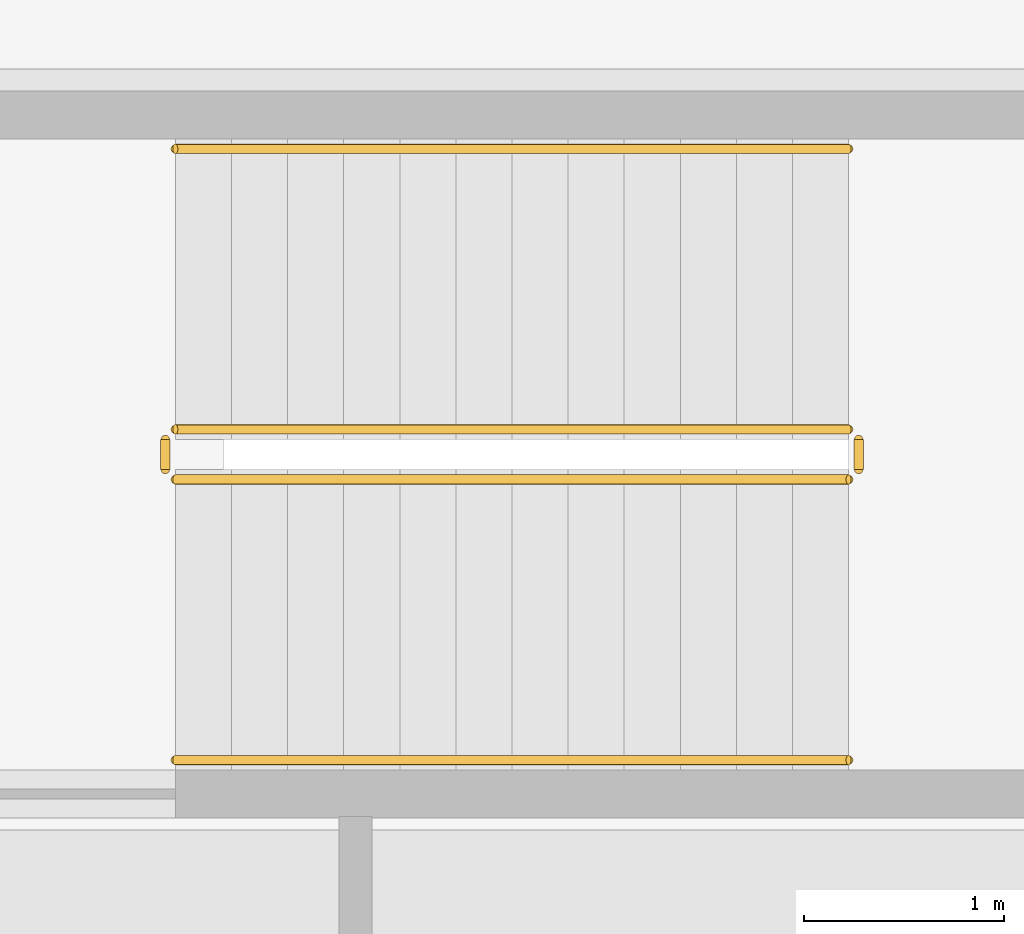
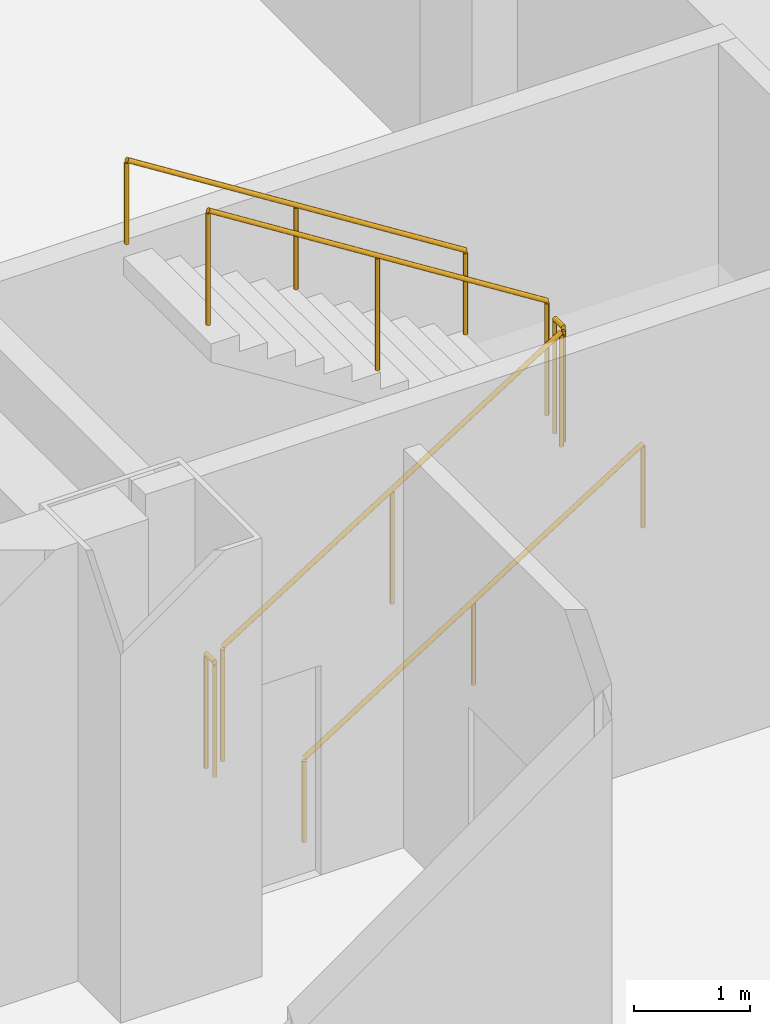
# One storey, part 8 of 8: 6 railings.
"""IFC4 building model written with IfcOpenShell, lengths in metres."""

from ifc_helpers import new_model, si_unit, direction, frame, origin, origin_2d, place, context, subcontext, project, spatial, circle, extrude, material, type_object, element, save


model = new_model("IFC4")

# Units and contexts
model_context = context("Model", 3, precision=1e-05, world=origin(), true_north=direction((0.0, 1.0)))
body_context = subcontext(model_context, "Body", "Model", "MODEL_VIEW")
ifc_project = project(units=[si_unit("LENGTHUNIT", "METRE"), si_unit("AREAUNIT", "SQUARE_METRE"), si_unit("VOLUMEUNIT", "CUBIC_METRE"), si_unit("PLANEANGLEUNIT", "RADIAN"), si_unit("MASSUNIT", "GRAM", prefix="KILO")], contexts=[model_context])

# Site, building, storey
site_placement = place(None, origin())
site = spatial("IfcSite", under=ifc_project, at=site_placement, CompositionType="ELEMENT")
building_placement = place(site_placement, origin())
building = spatial("IfcBuilding", under=site, at=building_placement, Name="Qianrong Seaharbour Tower", CompositionType="ELEMENT")
storey_placement = place(building_placement, frame((0.0, 0.0, -4.60009765625)))
storey = spatial("IfcBuildingStorey", under=building, at=storey_placement, Name="B01", CompositionType="ELEMENT", Elevation=-4.60009765625)

# Railings
ifc_material_1 = material(Name="Galvanized painted steel SN400B stair guard", Category="steel")
railing_type_1 = type_object("IfcRailingType", Name="RAIL-STAIR-GUARD-1220", PredefinedType="GUARDRAIL", material=ifc_material_1)
railing_1_placement = place(storey_placement, frame((65.89990234375, 38.050048828125, 0.177001953125)))
element("IfcRailing", 1, at=railing_1_placement, inside=storey, type_object=railing_type_1, Name="B01 BST-2 stair guard 1", PredefinedType="GUARDRAIL", context=body_context, shape_type="SweptSolid", body=[
    extrude(circle(Radius=0.02392578125, at=origin_2d()), frame((0.0, 0.0, 1.19580078125), z_axis=(0.845389635667, 0.0, 0.534150132366), x_axis=(0.0, 1.0, 0.0)), (0.0, 0.0, 1.0), 3.974609375),
    extrude(circle(Radius=0.02099609375, at=origin_2d()), origin(), (0.0, 0.0, 1.0), 1.171875),
    extrude(circle(Radius=0.02099609375, at=origin_2d()), frame((1.68017578125, 0.0, 1.0615234375)), (0.0, 0.0, 1.0), 1.171875),
    extrude(circle(Radius=0.02099609375, at=origin_2d()), frame((3.360107421875, 0.0, 2.123046875)), (0.0, 0.0, 1.0), 1.171875),
])
railing_2_placement = place(storey_placement, frame((69.31005859375, 38.10009765625, 2.300048828125)))
element("IfcRailing", 2, at=railing_2_placement, inside=storey, type_object=railing_type_1, Name="B01 BST-2 stair guard 2", PredefinedType="GUARDRAIL", context=body_context, shape_type="SweptSolid", body=[
    extrude(circle(Radius=0.02392578125, at=origin_2d()), frame((0.0, 0.0, 1.19580078125), z_axis=(0.0, 1.0, 0.0), x_axis=(-1.0, 0.0, 0.0)), (0.0, 0.0, 1.0), 0.14990234375),
    extrude(circle(Radius=0.02099609375, at=origin_2d()), origin(), (0.0, 0.0, 1.0), 1.171875),
    extrude(circle(Radius=0.02099609375, at=origin_2d()), frame((0.0, 0.14990234375, 0.0)), (0.0, 0.0, 1.0), 1.171875),
])
railing_3_placement = place(storey_placement, frame((69.260009765625, 38.300048828125, 2.47705078125)))
element("IfcRailing", 3, at=railing_3_placement, inside=storey, type_object=railing_type_1, Name="B01 BST-2 stair guard 3", PredefinedType="GUARDRAIL", context=body_context, shape_type="SweptSolid", body=[
    extrude(circle(Radius=0.02392578125, at=origin_2d()), frame((0.0, 0.0, 1.19580078125), z_axis=(-0.845389635667, 0.0, 0.534150132366), x_axis=(0.0, -1.0, 0.0)), (0.0, 0.0, 1.0), 3.974609375),
    extrude(circle(Radius=0.02099609375, at=origin_2d()), origin(), (0.0, 0.0, 1.0), 1.171875),
    extrude(circle(Radius=0.02099609375, at=origin_2d()), frame((-1.68017578125, 0.0, 1.0615234375)), (0.0, 0.0, 1.0), 1.171875),
    extrude(circle(Radius=0.02099609375, at=origin_2d()), frame((-3.360107421875, 0.0, 2.123046875)), (0.0, 0.0, 1.0), 1.171875),
])
railing_4_placement = place(storey_placement, frame((65.85009765625, 38.10009765625, 0.0)))
element("IfcRailing", 4, at=railing_4_placement, inside=storey, type_object=railing_type_1, Name="B01 BST-2 stair guard 4", PredefinedType="GUARDRAIL", context=body_context, shape_type="SweptSolid", body=[
    extrude(circle(Radius=0.02392578125, at=origin_2d()), frame((0.0, 0.0, 1.19580078125), z_axis=(0.0, 1.0, 0.0), x_axis=(-1.0, 0.0, 0.0)), (0.0, 0.0, 1.0), 0.14990234375),
    extrude(circle(Radius=0.02099609375, at=origin_2d()), origin(), (0.0, 0.0, 1.0), 1.171875),
    extrude(circle(Radius=0.02099609375, at=origin_2d()), frame((0.0, 0.14990234375, 0.0)), (0.0, 0.0, 1.0), 1.171875),
])
ifc_material_2 = material(Name="Stainless steel SUS316L continuous handrail", Category="steel")
railing_type_2 = type_object("IfcRailingType", Name="RAIL-STAIR-HANDRAIL-900", PredefinedType="HANDRAIL", material=ifc_material_2)
railing_5_placement = place(storey_placement, frame((65.89990234375, 36.64990234375, 0.177001953125)))
element("IfcRailing", 5, at=railing_5_placement, inside=storey, type_object=railing_type_2, Name="B01 BST-2 stair handrail 1", PredefinedType="HANDRAIL", context=body_context, shape_type="SweptSolid", body=[
    extrude(circle(Radius=0.02392578125, at=origin_2d()), frame((0.0, 0.0, 0.8759765625), z_axis=(0.845389635667, 0.0, 0.534150132366), x_axis=(0.0, 1.0, 0.0)), (0.0, 0.0, 1.0), 3.974609375),
    extrude(circle(Radius=0.02099609375, at=origin_2d()), origin(), (0.0, 0.0, 1.0), 0.851806640625),
    extrude(circle(Radius=0.02099609375, at=origin_2d()), frame((1.68017578125, 0.0, 1.0615234375)), (0.0, 0.0, 1.0), 0.851806640625),
    extrude(circle(Radius=0.02099609375, at=origin_2d()), frame((3.360107421875, 0.0, 2.123046875)), (0.0, 0.0, 1.0), 0.851806640625),
])
railing_6_placement = place(storey_placement, frame((69.260009765625, 39.699951171875, 2.47705078125)))
element("IfcRailing", 6, at=railing_6_placement, inside=storey, type_object=railing_type_2, Name="B01 BST-2 stair handrail 2", PredefinedType="HANDRAIL", context=body_context, shape_type="SweptSolid", body=[
    extrude(circle(Radius=0.02392578125, at=origin_2d()), frame((0.0, 0.0, 0.8759765625), z_axis=(-0.845389635667, 0.0, 0.534150132366), x_axis=(0.0, -1.0, 0.0)), (0.0, 0.0, 1.0), 3.974609375),
    extrude(circle(Radius=0.02099609375, at=origin_2d()), origin(), (0.0, 0.0, 1.0), 0.851806640625),
    extrude(circle(Radius=0.02099609375, at=origin_2d()), frame((-1.68017578125, 0.0, 1.0615234375)), (0.0, 0.0, 1.0), 0.851806640625),
    extrude(circle(Radius=0.02099609375, at=origin_2d()), frame((-3.360107421875, 0.0, 2.123046875)), (0.0, 0.0, 1.0), 0.851806640625),
])

save(model, "model.ifc")
